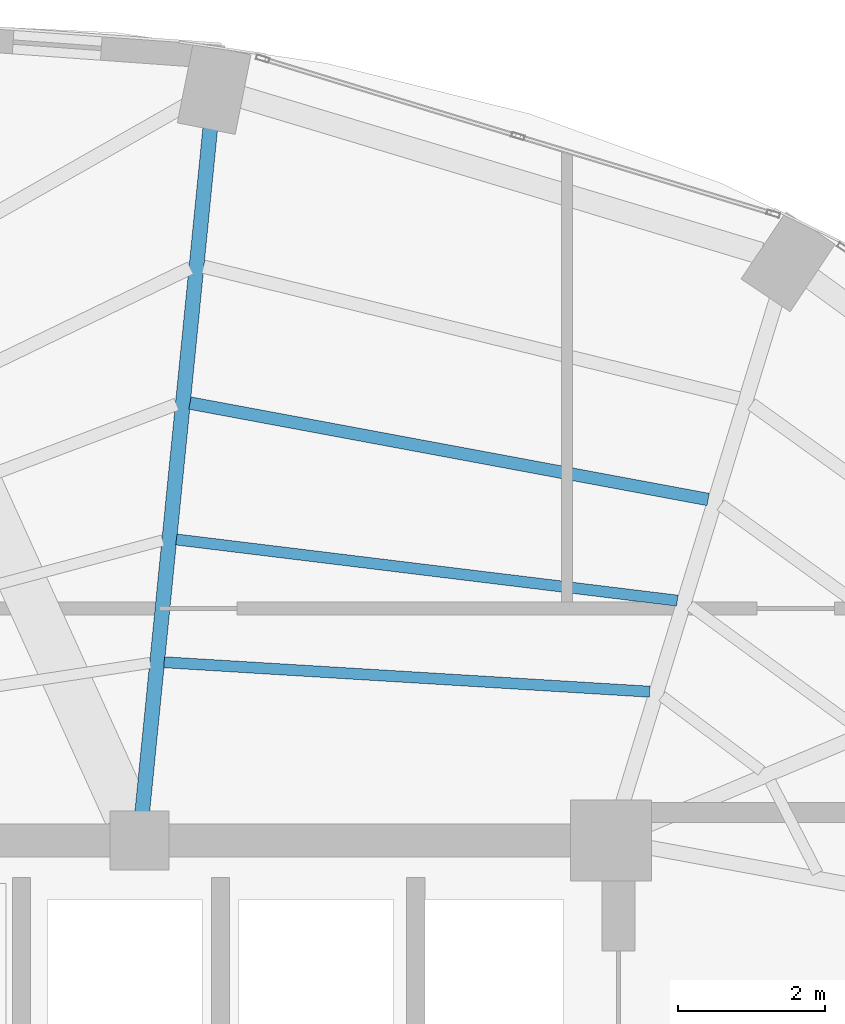
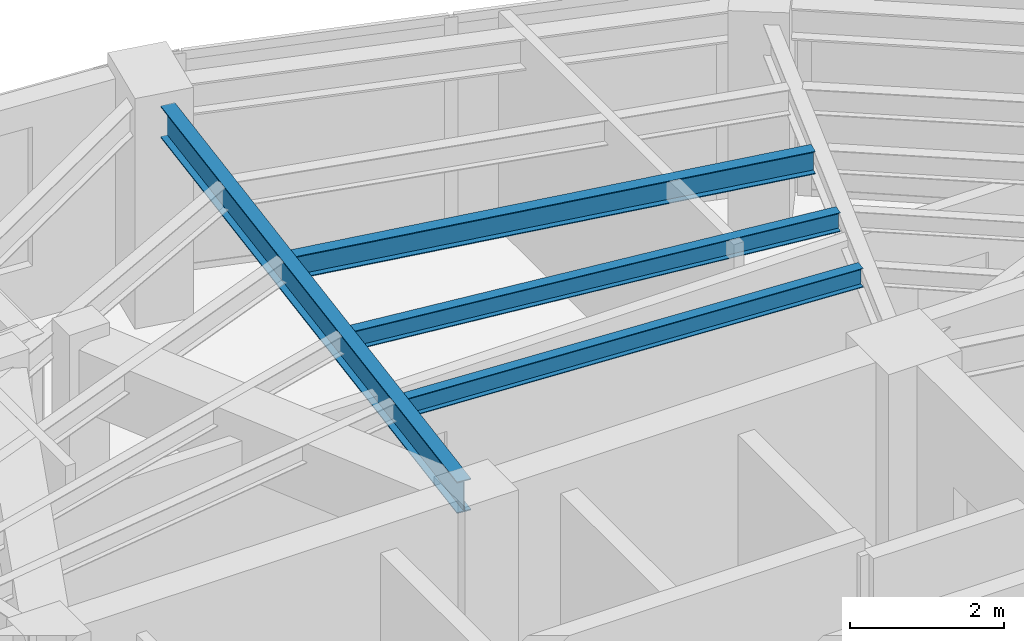
# One storey, part 12 of 23: 4 beams.
"""IFC4 building model written with IfcOpenShell, lengths in metres."""

from ifc_helpers import new_model, si_unit, direction, frame, origin, origin_2d, place, context, subcontext, project, spatial, i_section, extrude, material, material_profile, profile_set, type_object, element, save


model = new_model("IFC4")

# Units and contexts
model_context = context("Model", 3, precision=1e-05, world=origin(), true_north=direction((0.0, 1.0)))
body_context = subcontext(model_context, "Body", "Model", "MODEL_VIEW")
ifc_project = project(units=[si_unit("LENGTHUNIT", "METRE"), si_unit("AREAUNIT", "SQUARE_METRE"), si_unit("VOLUMEUNIT", "CUBIC_METRE"), si_unit("PLANEANGLEUNIT", "RADIAN"), si_unit("MASSUNIT", "GRAM", prefix="KILO")], contexts=[model_context])

# Site, building, storey
site_placement = place(None, origin())
site = spatial("IfcSite", under=ifc_project, at=site_placement, CompositionType="ELEMENT")
building_placement = place(site_placement, origin())
building = spatial("IfcBuilding", under=site, at=building_placement, Name="Lazwardi Medical Tower", CompositionType="ELEMENT")
storey_placement = place(building_placement, frame((0.0, 0.0, 262.320068359375)))
storey = spatial("IfcBuildingStorey", under=building, at=storey_placement, Name="L68", CompositionType="ELEMENT", Elevation=262.320068359375)

# Beams
ifc_material = material(Name="Steel S355", Category="steel")
ifc_material_profile_1 = material_profile(ifc_material, i_section(OverallWidth=0.199951171875, OverallDepth=0.5, WebThickness=0.01025390625, FlangeThickness=0.01611328125, at=origin_2d()), Name="IPE 500")
ifc_profile_set_1 = profile_set([ifc_material_profile_1], Name="Steel S355")
beam_type_1 = type_object("IfcBeamType", Name="BM-RG-W3", PredefinedType="BEAM", material=ifc_profile_set_1)
beam_1_placement = place(storey_placement, frame((40.1611328125, 45.265869140625, 3.197998046875), z_axis=(-0.098954361922, -0.995091972763, 0.0), x_axis=(0.995091972763, -0.098954361922, 0.0)))
element("IfcBeam", 1, at=beam_1_placement, inside=storey, type_object=beam_type_1, Name="Radial girder RG-04 R08 L68", PredefinedType="BEAM", context=body_context, shape_type="SweptSolid", body=[
    extrude(i_section(OverallWidth=0.199951171875, OverallDepth=0.5, WebThickness=0.01025390625, FlangeThickness=0.01611328125, at=origin_2d()), origin(), (0.0, 0.0, 1.0), 9.32861328125),
])
ifc_material_profile_2 = material_profile(ifc_material, i_section(OverallWidth=0.169921875, OverallDepth=0.360107421875, WebThickness=0.008056640625, FlangeThickness=0.0126953125, at=origin_2d()), Name="IPE 360")
ifc_profile_set_2 = profile_set([ifc_material_profile_2], Name="Steel S355")
beam_type_2 = type_object("IfcBeamType", Name="BM-SJ-02", PredefinedType="JOIST", material=ifc_profile_set_2)
beam_2_placement = place(storey_placement, frame((46.91552734375, 40.2275390625, 3.267822265625), z_axis=(-0.983132476587, 0.182894870019, 0.0), x_axis=(-0.182894870019, -0.983132476587, 0.0)))
element("IfcBeam", 2, at=beam_2_placement, inside=storey, type_object=beam_type_2, Name="Secondary joist SJ-02 R2 B07 L68", PredefinedType="JOIST", context=body_context, shape_type="SweptSolid", body=[
    extrude(i_section(OverallWidth=0.169921875, OverallDepth=0.360107421875, WebThickness=0.008056640625, FlangeThickness=0.0126953125, at=origin_2d()), origin(), (0.0, 0.0, 1.0), 7.15087890625),
])
ifc_material_profile_3 = material_profile(ifc_material, i_section(OverallWidth=0.14990234375, OverallDepth=0.300048828125, WebThickness=0.007080078125, FlangeThickness=0.0107421875, at=origin_2d()), Name="IPE 300")
ifc_profile_set_3 = profile_set([ifc_material_profile_3], Name="Steel S355")
beam_type_3 = type_object("IfcBeamType", Name="BM-SJ-03", PredefinedType="JOIST", material=ifc_profile_set_3)
beam_3_placement = place(storey_placement, frame((46.4970703125, 38.85546875, 3.2978515625), z_axis=(-0.992634689535, 0.121146081783, 0.0), x_axis=(-0.121146081783, -0.992634689535, 0.0)))
element("IfcBeam", 3, at=beam_3_placement, inside=storey, type_object=beam_type_3, Name="Secondary joist SJ-03 R3 B07 L68", PredefinedType="JOIST", context=body_context, shape_type="SweptSolid", body=[
    extrude(i_section(OverallWidth=0.14990234375, OverallDepth=0.300048828125, WebThickness=0.007080078125, FlangeThickness=0.0107421875, at=origin_2d()), origin(), (0.0, 0.0, 1.0), 6.845947265625),
])
beam_4_placement = place(storey_placement, frame((46.120849609375, 37.6201171875, 3.2978515625), z_axis=(-0.998165515862, 0.060544223044, 0.0), x_axis=(-0.060544223044, -0.998165515862, 0.0)))
element("IfcBeam", 4, at=beam_4_placement, inside=storey, type_object=beam_type_3, Name="Secondary joist SJ-03 R4 B07 L68", PredefinedType="JOIST", context=body_context, shape_type="SweptSolid", body=[
    extrude(i_section(OverallWidth=0.14990234375, OverallDepth=0.300048828125, WebThickness=0.007080078125, FlangeThickness=0.0107421875, at=origin_2d()), origin(), (0.0, 0.0, 1.0), 6.59716796875),
])

save(model, "model.ifc")
